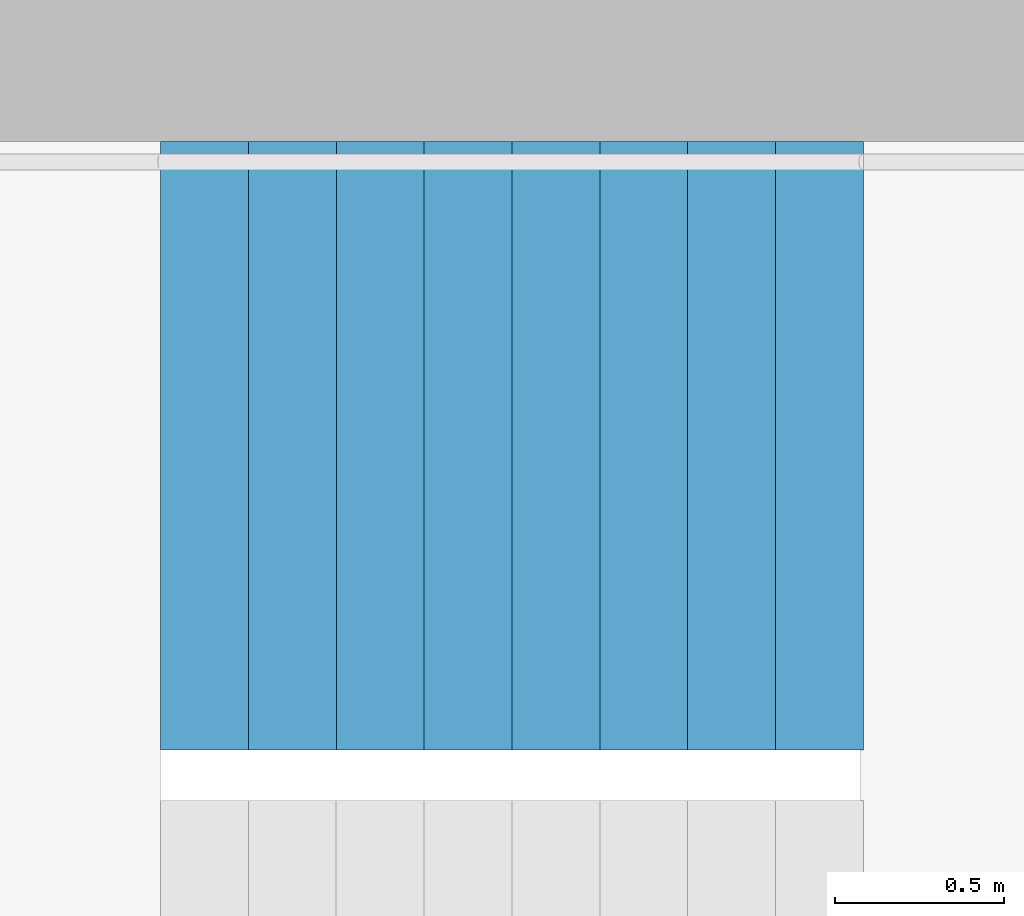
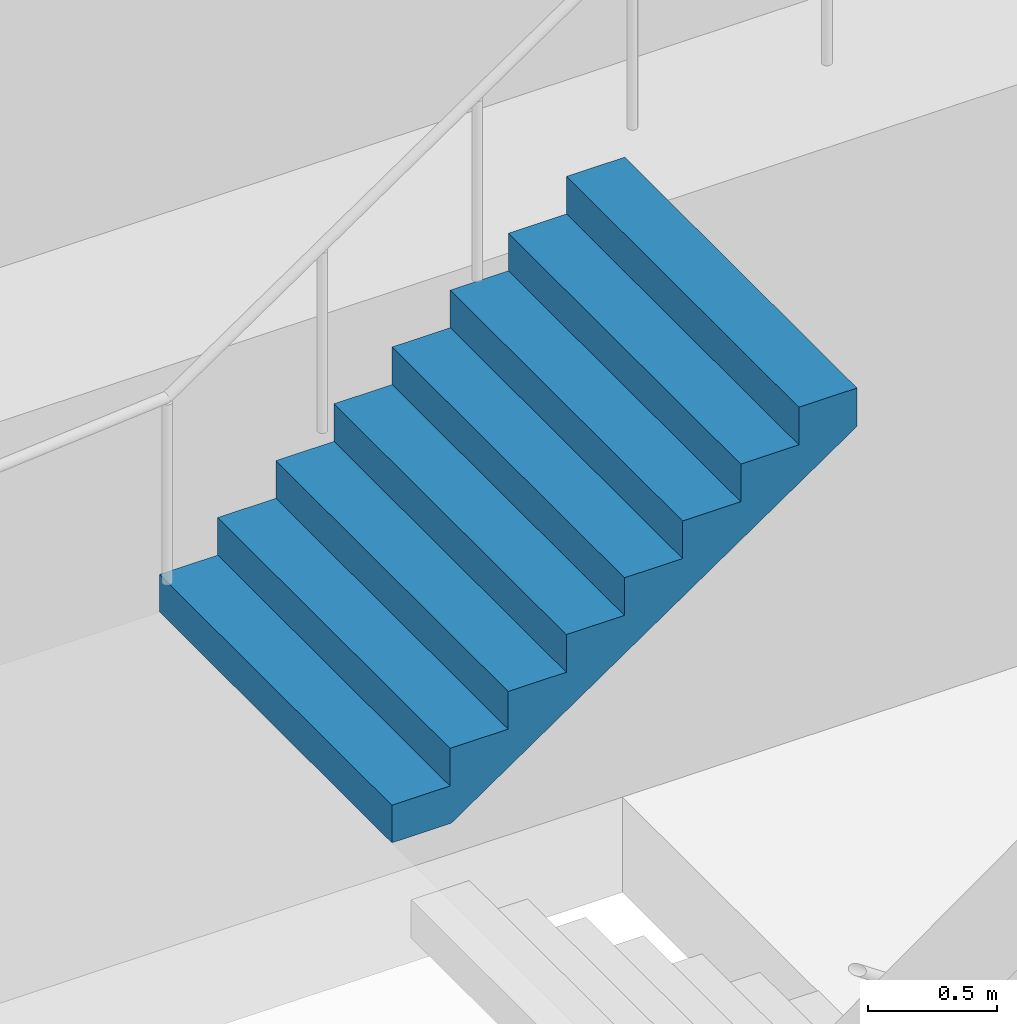
# One storey, part 24 of 25: 1 stair flight, 1 element without a shape of its own.
"""IFC4 building model written with IfcOpenShell, lengths in metres."""

import ifcopenshell
import ifcopenshell.guid

model = None  # the IFC model being written
_history = None  # IfcOwnerHistory: only IFC2X3 demands one
_inside = {}  # id of a spatial element -> (the spatial element, [elements in it])
_under = {}  # id of a project, library or spatial element -> (it, [spatial elements below it])
_declared = {}  # id of a project -> (the project, [libraries it declares])
_typed = {}  # id of a type object -> (the type object, [elements of that type])
_made_of = {}  # id of a material, layer set ... -> (it, [elements and type objects made of it])


def new_model(schema):
    """Start an empty IFC model of exactly this schema.

    Asked for "IFC4X3", IfcOpenShell would pick the latest addendum, in which some entities
    have other attributes; the version numbers below select the first issue.
    IFC2X3 requires an IfcOwnerHistory on every rooted entity: one is made here for all.
    """
    global model, _history
    if schema == "IFC4X3":
        model = ifcopenshell.file(schema_version=(4, 3, 0, 0))
    else:
        model = ifcopenshell.file(schema=schema)
    _inside.clear()
    _under.clear()
    _declared.clear()
    _typed.clear()
    _made_of.clear()
    _history = None
    if model.schema == "IFC2X3":
        org = make("IfcOrganization", Name="unknown")
        user = make(
            "IfcPersonAndOrganization",
            ThePerson=make("IfcPerson", FamilyName="unknown"),
            TheOrganization=org,
        )
        app = make(
            "IfcApplication",
            ApplicationDeveloper=org,
            Version="unknown",
            ApplicationFullName="unknown",
            ApplicationIdentifier="unknown",
        )
        _history = make(
            "IfcOwnerHistory",
            OwningUser=user,
            OwningApplication=app,
            ChangeAction="ADDED",
            CreationDate=0,
        )
    return model


def make(cls, **values):
    """One entity of the class cls with the attributes given. An attribute that is None is left unset."""
    return model.create_entity(
        cls, **{name: value for name, value in values.items() if value is not None}
    )


def rooted(cls, **values):
    """An entity with a GlobalId (a new one), such as an element, a storey or a relation."""
    return make(cls, GlobalId=ifcopenshell.guid.new(), OwnerHistory=_history, **values)


def si_unit(unit_type, name, prefix=None):
    """IfcSIUnit, for example si_unit("LENGTHUNIT", "METRE", prefix="MILLI")."""
    return make("IfcSIUnit", UnitType=unit_type, Prefix=prefix, Name=name)


def assignment(units):
    """IfcUnitAssignment: the units of a project."""
    return None if units is None else make("IfcUnitAssignment", Units=units)


def point(xyz):
    """IfcCartesianPoint."""
    return None if xyz is None else make("IfcCartesianPoint", Coordinates=xyz)


def direction(xyz):
    """IfcDirection."""
    return None if xyz is None else make("IfcDirection", DirectionRatios=xyz)


def frame(location, z_axis=None, x_axis=None):
    """IfcAxis2Placement3D, a coordinate frame: its origin and axes. An axis left out is left unset."""
    return make(
        "IfcAxis2Placement3D",
        Location=point(location),
        Axis=direction(z_axis),
        RefDirection=direction(x_axis),
    )


def origin():
    """The frame at (0, 0, 0) with its axes left unset."""
    return frame((0.0, 0.0, 0.0))


def place(relative_to, where):
    """IfcLocalPlacement: puts the frame where relative to a parent placement (None: the world)."""
    return make(
        "IfcLocalPlacement", PlacementRelTo=relative_to, RelativePlacement=where
    )


def context(
    kind, dimensions, precision=None, world=None, true_north=None, identifier=None
):
    """IfcGeometricRepresentationContext, for example the 3D "Model" context."""
    return make(
        "IfcGeometricRepresentationContext",
        ContextIdentifier=identifier,
        ContextType=kind,
        CoordinateSpaceDimension=dimensions,
        Precision=precision,
        WorldCoordinateSystem=world,
        TrueNorth=true_north,
    )


def subcontext(parent, identifier, kind, view, scale=None):
    """IfcGeometricRepresentationSubContext, for example "Body" below "Model"."""
    return make(
        "IfcGeometricRepresentationSubContext",
        ContextIdentifier=identifier,
        ContextType=kind,
        ParentContext=parent,
        TargetScale=scale,
        TargetView=view,
    )


def project(units=None, contexts=None):
    """IfcProject with its units and contexts."""
    return rooted(
        "IfcProject",
        Name="project",
        RepresentationContexts=contexts,
        UnitsInContext=assignment(units),
    )


def spatial(cls, under=None, at=None, **own):
    """A site, building, storey or space (cls), placed at a placement, below another one or the project."""
    s = rooted(cls, ObjectPlacement=at, **own)
    if under is not None:
        _under.setdefault(under.id(), (under, []))[1].append(s)
    return s


def point_list(points):
    """IfcCartesianPointList2D or 3D."""
    cls = (
        "IfcCartesianPointList2D" if len(points[0]) == 2 else "IfcCartesianPointList3D"
    )
    return make(cls, CoordList=points)


def triangles(points, corners, closed=None, point_numbers=None):
    """IfcTriangulatedFaceSet: each triangle names its three corners, points numbered from 1."""
    return make(
        "IfcTriangulatedFaceSet",
        Coordinates=point_list(points),
        Closed=closed,
        CoordIndex=corners,
        PnIndex=point_numbers,
    )


def shape(context_of_items, identifier, shape_type, items):
    """IfcShapeRepresentation: the items that make up one representation, for example the "Body"."""
    return make(
        "IfcShapeRepresentation",
        ContextOfItems=context_of_items,
        RepresentationIdentifier=identifier,
        RepresentationType=shape_type,
        Items=items,
    )


def material(Name=None, Category=None):
    """IfcMaterial."""
    return make("IfcMaterial", Name=Name, Category=Category)


def made_of(thing, what):
    """Note that an element or type object is made of a material, layer set ...; save() writes the relation."""
    if what is not None:
        _made_of.setdefault(what.id(), (what, []))[1].append(thing)
    return thing


def type_object(cls, material=None, **own):
    """A type object (cls), such as IfcWallType, which elements share."""
    return made_of(rooted(cls, **own), material)


def element(
    cls,
    number,
    at=None,
    inside=None,
    cuts=None,
    type_object=None,
    material=None,
    context=None,
    identifier="Body",
    shape_type=None,
    held_by="IfcProductDefinitionShape",
    body=None,
    shapes=None,
    **own,
):
    """One element of the class cls, such as IfcWall. Its Tag is "e" and its number.

    at: its placement. inside: the storey or other place that contains it. cuts: it is an
    opening in that element (IfcRelVoidsElement). A single representation is given by context,
    identifier, shape_type and body (its items); several are given by shapes. held_by: the class
    of the entity that holds the representations. save() writes the other relations.
    """
    e = rooted(cls, Tag="e%d" % number, ObjectPlacement=at, **own)
    if body is not None:
        shapes = [shape(context, identifier, shape_type, body)]
    if shapes is not None:
        e.Representation = make(held_by, Representations=shapes)
    if inside is not None:
        _inside.setdefault(inside.id(), (inside, []))[1].append(e)
    if cuts is not None:
        rooted(
            "IfcRelVoidsElement", RelatingBuildingElement=cuts, RelatedOpeningElement=e
        )
    if type_object is not None:
        _typed.setdefault(type_object.id(), (type_object, []))[1].append(e)
    return made_of(e, material)


def aggregate(whole, parts):
    """IfcRelAggregates: a whole, such as a stair, and the parts it consists of."""
    return rooted("IfcRelAggregates", RelatingObject=whole, RelatedObjects=parts)


def save(model, path):
    """Write the relations noted so far, then the file.

    IfcRelAggregates (storeys below a building ...), IfcRelContainedInSpatialStructure (elements
    in a storey), IfcRelDefinesByType, IfcRelAssociatesMaterial and IfcRelDeclares: one each for
    every whole, place, type object, material and project.
    """
    for whole, parts in _under.values():
        aggregate(whole, parts)
    for where, things in _inside.values():
        rooted(
            "IfcRelContainedInSpatialStructure",
            RelatedElements=things,
            RelatingStructure=where,
        )
    for kind, things in _typed.values():
        rooted("IfcRelDefinesByType", RelatedObjects=things, RelatingType=kind)
    for what, things in _made_of.values():
        rooted("IfcRelAssociatesMaterial", RelatedObjects=things, RelatingMaterial=what)
    for by, libraries in _declared.values():
        rooted("IfcRelDeclares", RelatingContext=by, RelatedDefinitions=libraries)
    model.write(path)


model = new_model("IFC4")

# Units and contexts
model_context = context("Model", 3, precision=1e-05, world=origin(), true_north=direction((0.0, 1.0)))
body_context = subcontext(model_context, "Body", "Model", "MODEL_VIEW")
ifc_project = project(units=[si_unit("LENGTHUNIT", "METRE"), si_unit("AREAUNIT", "SQUARE_METRE"), si_unit("VOLUMEUNIT", "CUBIC_METRE"), si_unit("PLANEANGLEUNIT", "RADIAN"), si_unit("MASSUNIT", "GRAM", prefix="KILO")], contexts=[model_context])

# Site, building, storey
site_placement = place(None, origin())
site = spatial("IfcSite", under=ifc_project, at=site_placement, CompositionType="ELEMENT")
building_placement = place(site_placement, origin())
building = spatial("IfcBuilding", under=site, at=building_placement, Name="Hakoniwa Tower and Hamabe Station Hall", CompositionType="ELEMENT")
storey_placement = place(building_placement, frame((0.0, 0.0, 202.60009765625)))
storey = spatial("IfcBuildingStorey", under=building, at=storey_placement, Name="L57", CompositionType="ELEMENT", Elevation=202.60009765625)

# Stair, stair flight
ifc_material_1 = material(Name="Concrete C40", Category="concrete")
stair_type = type_object("IfcStairType", Name="ESCAPE STAIR 1800", PredefinedType="HALF_TURN_STAIR", material=ifc_material_1)
stair_placement = place(storey_placement, origin())
stair = element("IfcStair", 1, at=stair_placement, inside=storey, type_object=stair_type, Name="Escape stair ST-3 L57", PredefinedType="HALF_TURN_STAIR")
ifc_material_2 = material(Name="Concrete C40", Category="concrete")
stair_flight_type = type_object("IfcStairFlightType", Name="STAIR FLIGHT 1800", PredefinedType="STRAIGHT", material=ifc_material_2)
stair_flight_placement = place(storey_placement, frame((22.320068359375, 6.60009765625, 1.599853515625), z_axis=(0.0, 0.0, 1.0), x_axis=(1.0, 0.0, 0.0)))
stair_flight = element("IfcStairFlight", 2, at=stair_flight_placement, type_object=stair_flight_type, Name="ST-3 flight 2", NumberOfRisers=9, NumberOfTreads=8, PredefinedType="STRAIGHT", RiserHeight=0.177777778, TreadLength=0.26, context=body_context, shape_type="Tessellation", body=[
    triangles([(0.0, 0.89990234375, 0.0), (0.260009765625, 0.89990234375, 0.0), (0.265625, 0.89990234375, 0.0), (0.52001953125, 0.89990234375, 0.174072265625), (0.780029296875, 0.89990234375, 0.351806640625), (1.0400390625, 0.89990234375, 0.529541015625), (1.300048828125, 0.89990234375, 0.707275390625), (1.56005859375, 0.89990234375, 0.885009765625), (1.820068359375, 0.89990234375, 1.062744140625), (2.080078125, 0.89990234375, 1.24072265625), (2.080078125, 0.89990234375, 1.422119140625), (1.820068359375, 0.89990234375, 1.422119140625), (1.820068359375, 0.89990234375, 1.244384765625), (1.56005859375, 0.89990234375, 1.244384765625), (1.56005859375, 0.89990234375, 1.066650390625), (1.300048828125, 0.89990234375, 1.066650390625), (1.300048828125, 0.89990234375, 0.888916015625), (1.0400390625, 0.89990234375, 0.888916015625), (1.0400390625, 0.89990234375, 0.711181640625), (0.780029296875, 0.89990234375, 0.711181640625), (0.780029296875, 0.89990234375, 0.533447265625), (0.52001953125, 0.89990234375, 0.533447265625), (0.52001953125, 0.89990234375, 0.35546875), (0.265625, 0.89990234375, 0.35546875), (0.260009765625, 0.89990234375, 0.35546875), (0.260009765625, 0.89990234375, 0.177734375), (0.0, 0.89990234375, 0.177734375), (0.0, 0.06005859375, 0.0), (0.260009765625, 0.06005859375, 0.0), (0.265625, 0.06005859375, 0.0), (0.52001953125, 0.06005859375, 0.174072265625), (0.780029296875, 0.06005859375, 0.351806640625), (1.0400390625, 0.06005859375, 0.529541015625), (1.300048828125, 0.06005859375, 0.707275390625), (1.56005859375, 0.06005859375, 0.885009765625), (1.820068359375, 0.06005859375, 1.062744140625), (2.080078125, 0.06005859375, 1.24072265625), (2.080078125, 0.06005859375, 1.422119140625), (1.820068359375, 0.06005859375, 1.422119140625), (1.820068359375, 0.06005859375, 1.244384765625), (1.56005859375, 0.06005859375, 1.244384765625), (1.56005859375, 0.06005859375, 1.066650390625), (1.300048828125, 0.06005859375, 1.066650390625), (1.300048828125, 0.06005859375, 0.888916015625), (1.0400390625, 0.06005859375, 0.888916015625), (1.0400390625, 0.06005859375, 0.711181640625), (0.780029296875, 0.06005859375, 0.711181640625), (0.780029296875, 0.06005859375, 0.533447265625), (0.52001953125, 0.06005859375, 0.533447265625), (0.52001953125, 0.06005859375, 0.35546875), (0.265625, 0.06005859375, 0.35546875), (0.260009765625, 0.06005859375, 0.35546875), (0.260009765625, 0.06005859375, 0.177734375), (0.0, 0.06005859375, 0.177734375), (0.0, 0.04296875, 0.0), (0.260009765625, 0.04296875, 0.0), (0.265625, 0.04296875, 0.0), (0.52001953125, 0.04296875, 0.174072265625), (0.780029296875, 0.04296875, 0.351806640625), (1.0400390625, 0.04296875, 0.529541015625), (1.300048828125, 0.04296875, 0.707275390625), (1.56005859375, 0.04296875, 0.885009765625), (1.820068359375, 0.04296875, 1.062744140625), (2.080078125, 0.04296875, 1.24072265625), (2.080078125, 0.04296875, 1.422119140625), (1.820068359375, 0.04296875, 1.422119140625), (1.820068359375, 0.04296875, 1.244384765625), (1.56005859375, 0.04296875, 1.244384765625), (1.56005859375, 0.04296875, 1.066650390625), (1.300048828125, 0.04296875, 1.066650390625), (1.300048828125, 0.04296875, 0.888916015625), (1.0400390625, 0.04296875, 0.888916015625), (1.0400390625, 0.04296875, 0.711181640625), (0.780029296875, 0.04296875, 0.711181640625), (0.780029296875, 0.04296875, 0.533447265625), (0.52001953125, 0.04296875, 0.533447265625), (0.52001953125, 0.04296875, 0.35546875), (0.265625, 0.04296875, 0.35546875), (0.260009765625, 0.04296875, 0.35546875), (0.260009765625, 0.04296875, 0.177734375), (0.0, 0.04296875, 0.177734375), (0.0, 0.025634765625, 0.0), (0.260009765625, 0.025634765625, 0.0), (0.265625, 0.025634765625, 0.0), (0.52001953125, 0.025634765625, 0.174072265625), (0.780029296875, 0.025634765625, 0.351806640625), (1.0400390625, 0.025634765625, 0.529541015625), (1.300048828125, 0.025634765625, 0.707275390625), (1.56005859375, 0.025634765625, 0.885009765625), (1.820068359375, 0.025634765625, 1.062744140625), (2.080078125, 0.025634765625, 1.24072265625), (2.080078125, 0.025634765625, 1.422119140625), (1.820068359375, 0.025634765625, 1.422119140625), (1.820068359375, 0.025634765625, 1.244384765625), (1.56005859375, 0.025634765625, 1.244384765625), (1.56005859375, 0.025634765625, 1.066650390625), (1.300048828125, 0.025634765625, 1.066650390625), (1.300048828125, 0.025634765625, 0.888916015625), (1.0400390625, 0.025634765625, 0.888916015625), (1.0400390625, 0.025634765625, 0.711181640625), (0.780029296875, 0.025634765625, 0.711181640625), (0.780029296875, 0.025634765625, 0.533447265625), (0.52001953125, 0.025634765625, 0.533447265625), (0.52001953125, 0.025634765625, 0.35546875), (0.265625, 0.025634765625, 0.35546875), (0.260009765625, 0.025634765625, 0.35546875), (0.260009765625, 0.025634765625, 0.177734375), (0.0, 0.025634765625, 0.177734375), (0.0, 0.008544921875, 0.0), (0.260009765625, 0.008544921875, 0.0), (0.265625, 0.008544921875, 0.0), (0.52001953125, 0.008544921875, 0.174072265625), (0.780029296875, 0.008544921875, 0.351806640625), (1.0400390625, 0.008544921875, 0.529541015625), (1.300048828125, 0.008544921875, 0.707275390625), (1.56005859375, 0.008544921875, 0.885009765625), (1.820068359375, 0.008544921875, 1.062744140625), (2.080078125, 0.008544921875, 1.24072265625), (2.080078125, 0.008544921875, 1.422119140625), (1.820068359375, 0.008544921875, 1.422119140625), (1.820068359375, 0.008544921875, 1.244384765625), (1.56005859375, 0.008544921875, 1.244384765625), (1.56005859375, 0.008544921875, 1.066650390625), (1.300048828125, 0.008544921875, 1.066650390625), (1.300048828125, 0.008544921875, 0.888916015625), (1.0400390625, 0.008544921875, 0.888916015625), (1.0400390625, 0.008544921875, 0.711181640625), (0.780029296875, 0.008544921875, 0.711181640625), (0.780029296875, 0.008544921875, 0.533447265625), (0.52001953125, 0.008544921875, 0.533447265625), (0.52001953125, 0.008544921875, 0.35546875), (0.265625, 0.008544921875, 0.35546875), (0.260009765625, 0.008544921875, 0.35546875), (0.260009765625, 0.008544921875, 0.177734375), (0.0, 0.008544921875, 0.177734375), (0.0, -0.008544921875, 0.0), (0.260009765625, -0.008544921875, 0.0), (0.265625, -0.008544921875, 0.0), (0.52001953125, -0.008544921875, 0.174072265625), (0.780029296875, -0.008544921875, 0.351806640625), (1.0400390625, -0.008544921875, 0.529541015625), (1.300048828125, -0.008544921875, 0.707275390625), (1.56005859375, -0.008544921875, 0.885009765625), (1.820068359375, -0.008544921875, 1.062744140625), (2.080078125, -0.008544921875, 1.24072265625), (2.080078125, -0.008544921875, 1.422119140625), (1.820068359375, -0.008544921875, 1.422119140625), (1.820068359375, -0.008544921875, 1.244384765625), (1.56005859375, -0.008544921875, 1.244384765625), (1.56005859375, -0.008544921875, 1.066650390625), (1.300048828125, -0.008544921875, 1.066650390625), (1.300048828125, -0.008544921875, 0.888916015625), (1.0400390625, -0.008544921875, 0.888916015625), (1.0400390625, -0.008544921875, 0.711181640625), (0.780029296875, -0.008544921875, 0.711181640625), (0.780029296875, -0.008544921875, 0.533447265625), (0.52001953125, -0.008544921875, 0.533447265625), (0.52001953125, -0.008544921875, 0.35546875), (0.265625, -0.008544921875, 0.35546875), (0.260009765625, -0.008544921875, 0.35546875), (0.260009765625, -0.008544921875, 0.177734375), (0.0, -0.008544921875, 0.177734375), (0.0, -0.025634765625, 0.0), (0.260009765625, -0.025634765625, 0.0), (0.265625, -0.025634765625, 0.0), (0.52001953125, -0.025634765625, 0.174072265625), (0.780029296875, -0.025634765625, 0.351806640625), (1.0400390625, -0.025634765625, 0.529541015625), (1.300048828125, -0.025634765625, 0.707275390625), (1.56005859375, -0.025634765625, 0.885009765625), (1.820068359375, -0.025634765625, 1.062744140625), (2.080078125, -0.025634765625, 1.24072265625), (2.080078125, -0.025634765625, 1.422119140625), (1.820068359375, -0.025634765625, 1.422119140625), (1.820068359375, -0.025634765625, 1.244384765625), (1.56005859375, -0.025634765625, 1.244384765625), (1.56005859375, -0.025634765625, 1.066650390625), (1.300048828125, -0.025634765625, 1.066650390625), (1.300048828125, -0.025634765625, 0.888916015625), (1.0400390625, -0.025634765625, 0.888916015625), (1.0400390625, -0.025634765625, 0.711181640625), (0.780029296875, -0.025634765625, 0.711181640625), (0.780029296875, -0.025634765625, 0.533447265625), (0.52001953125, -0.025634765625, 0.533447265625), (0.52001953125, -0.025634765625, 0.35546875), (0.265625, -0.025634765625, 0.35546875), (0.260009765625, -0.025634765625, 0.35546875), (0.260009765625, -0.025634765625, 0.177734375), (0.0, -0.025634765625, 0.177734375), (0.0, -0.04296875, 0.0), (0.260009765625, -0.04296875, 0.0), (0.265625, -0.04296875, 0.0), (0.52001953125, -0.04296875, 0.174072265625), (0.780029296875, -0.04296875, 0.351806640625), (1.0400390625, -0.04296875, 0.529541015625), (1.300048828125, -0.04296875, 0.707275390625), (1.56005859375, -0.04296875, 0.885009765625), (1.820068359375, -0.04296875, 1.062744140625), (2.080078125, -0.04296875, 1.24072265625), (2.080078125, -0.04296875, 1.422119140625), (1.820068359375, -0.04296875, 1.422119140625), (1.820068359375, -0.04296875, 1.244384765625), (1.56005859375, -0.04296875, 1.244384765625), (1.56005859375, -0.04296875, 1.066650390625), (1.300048828125, -0.04296875, 1.066650390625), (1.300048828125, -0.04296875, 0.888916015625), (1.0400390625, -0.04296875, 0.888916015625), (1.0400390625, -0.04296875, 0.711181640625), (0.780029296875, -0.04296875, 0.711181640625), (0.780029296875, -0.04296875, 0.533447265625), (0.52001953125, -0.04296875, 0.533447265625), (0.52001953125, -0.04296875, 0.35546875), (0.265625, -0.04296875, 0.35546875), (0.260009765625, -0.04296875, 0.35546875), (0.260009765625, -0.04296875, 0.177734375), (0.0, -0.04296875, 0.177734375), (0.0, -0.06005859375, 0.0), (0.260009765625, -0.06005859375, 0.0), (0.265625, -0.06005859375, 0.0), (0.52001953125, -0.06005859375, 0.174072265625), (0.780029296875, -0.06005859375, 0.351806640625), (1.0400390625, -0.06005859375, 0.529541015625), (1.300048828125, -0.06005859375, 0.707275390625), (1.56005859375, -0.06005859375, 0.885009765625), (1.820068359375, -0.06005859375, 1.062744140625), (2.080078125, -0.06005859375, 1.24072265625), (2.080078125, -0.06005859375, 1.422119140625), (1.820068359375, -0.06005859375, 1.422119140625), (1.820068359375, -0.06005859375, 1.244384765625), (1.56005859375, -0.06005859375, 1.244384765625), (1.56005859375, -0.06005859375, 1.066650390625), (1.300048828125, -0.06005859375, 1.066650390625), (1.300048828125, -0.06005859375, 0.888916015625), (1.0400390625, -0.06005859375, 0.888916015625), (1.0400390625, -0.06005859375, 0.711181640625), (0.780029296875, -0.06005859375, 0.711181640625), (0.780029296875, -0.06005859375, 0.533447265625), (0.52001953125, -0.06005859375, 0.533447265625), (0.52001953125, -0.06005859375, 0.35546875), (0.265625, -0.06005859375, 0.35546875), (0.260009765625, -0.06005859375, 0.35546875), (0.260009765625, -0.06005859375, 0.177734375), (0.0, -0.06005859375, 0.177734375), (0.0, -0.89990234375, 0.0), (0.260009765625, -0.89990234375, 0.0), (0.265625, -0.89990234375, 0.0), (0.52001953125, -0.89990234375, 0.174072265625), (0.780029296875, -0.89990234375, 0.351806640625), (1.0400390625, -0.89990234375, 0.529541015625), (1.300048828125, -0.89990234375, 0.707275390625), (1.56005859375, -0.89990234375, 0.885009765625), (1.820068359375, -0.89990234375, 1.062744140625), (2.080078125, -0.89990234375, 1.24072265625), (2.080078125, -0.89990234375, 1.422119140625), (1.820068359375, -0.89990234375, 1.422119140625), (1.820068359375, -0.89990234375, 1.244384765625), (1.56005859375, -0.89990234375, 1.244384765625), (1.56005859375, -0.89990234375, 1.066650390625), (1.300048828125, -0.89990234375, 1.066650390625), (1.300048828125, -0.89990234375, 0.888916015625), (1.0400390625, -0.89990234375, 0.888916015625), (1.0400390625, -0.89990234375, 0.711181640625), (0.780029296875, -0.89990234375, 0.711181640625), (0.780029296875, -0.89990234375, 0.533447265625), (0.52001953125, -0.89990234375, 0.533447265625), (0.52001953125, -0.89990234375, 0.35546875), (0.265625, -0.89990234375, 0.35546875), (0.260009765625, -0.89990234375, 0.35546875), (0.260009765625, -0.89990234375, 0.177734375), (0.0, -0.89990234375, 0.177734375)], [[2, 27, 26], [245, 269, 270], [2, 1, 27], [245, 270, 244], [3, 25, 24], [246, 267, 268], [3, 26, 25], [246, 268, 269], [3, 2, 26], [246, 269, 245], [4, 24, 23], [247, 266, 267], [4, 3, 24], [247, 267, 246], [5, 22, 21], [248, 264, 265], [5, 23, 22], [248, 265, 266], [5, 4, 23], [248, 266, 247], [6, 20, 19], [249, 262, 263], [6, 21, 20], [249, 263, 264], [6, 5, 21], [249, 264, 248], [7, 18, 17], [250, 260, 261], [7, 19, 18], [250, 261, 262], [7, 6, 19], [250, 262, 249], [8, 16, 15], [251, 258, 259], [8, 17, 16], [251, 259, 260], [8, 7, 17], [251, 260, 250], [9, 14, 13], [252, 256, 257], [9, 15, 14], [252, 257, 258], [9, 8, 15], [252, 258, 251], [10, 12, 11], [253, 254, 255], [10, 13, 12], [253, 255, 256], [10, 9, 13], [253, 256, 252], [1, 2, 29], [1, 29, 28], [28, 29, 56], [28, 56, 55], [55, 56, 83], [55, 83, 82], [82, 83, 110], [82, 110, 109], [109, 110, 137], [109, 137, 136], [136, 137, 164], [136, 164, 163], [163, 164, 191], [163, 191, 190], [190, 191, 218], [190, 218, 217], [217, 218, 245], [217, 245, 244], [2, 3, 30], [2, 30, 29], [29, 30, 57], [29, 57, 56], [56, 57, 84], [56, 84, 83], [83, 84, 111], [83, 111, 110], [110, 111, 138], [110, 138, 137], [137, 138, 165], [137, 165, 164], [164, 165, 192], [164, 192, 191], [191, 192, 219], [191, 219, 218], [218, 219, 246], [218, 246, 245], [3, 4, 31], [3, 31, 30], [30, 31, 58], [30, 58, 57], [57, 58, 85], [57, 85, 84], [84, 85, 112], [84, 112, 111], [111, 112, 139], [111, 139, 138], [138, 139, 166], [138, 166, 165], [165, 166, 193], [165, 193, 192], [192, 193, 220], [192, 220, 219], [219, 220, 247], [219, 247, 246], [4, 5, 32], [4, 32, 31], [31, 32, 59], [31, 59, 58], [58, 59, 86], [58, 86, 85], [85, 86, 113], [85, 113, 112], [112, 113, 140], [112, 140, 139], [139, 140, 167], [139, 167, 166], [166, 167, 194], [166, 194, 193], [193, 194, 221], [193, 221, 220], [220, 221, 248], [220, 248, 247], [5, 6, 33], [5, 33, 32], [32, 33, 60], [32, 60, 59], [59, 60, 87], [59, 87, 86], [86, 87, 114], [86, 114, 113], [113, 114, 141], [113, 141, 140], [140, 141, 168], [140, 168, 167], [167, 168, 195], [167, 195, 194], [194, 195, 222], [194, 222, 221], [221, 222, 249], [221, 249, 248], [6, 7, 34], [6, 34, 33], [33, 34, 61], [33, 61, 60], [60, 61, 88], [60, 88, 87], [87, 88, 115], [87, 115, 114], [114, 115, 142], [114, 142, 141], [141, 142, 169], [141, 169, 168], [168, 169, 196], [168, 196, 195], [195, 196, 223], [195, 223, 222], [222, 223, 250], [222, 250, 249], [7, 8, 35], [7, 35, 34], [34, 35, 62], [34, 62, 61], [61, 62, 89], [61, 89, 88], [88, 89, 116], [88, 116, 115], [115, 116, 143], [115, 143, 142], [142, 143, 170], [142, 170, 169], [169, 170, 197], [169, 197, 196], [196, 197, 224], [196, 224, 223], [223, 224, 251], [223, 251, 250], [8, 9, 36], [8, 36, 35], [35, 36, 63], [35, 63, 62], [62, 63, 90], [62, 90, 89], [89, 90, 117], [89, 117, 116], [116, 117, 144], [116, 144, 143], [143, 144, 171], [143, 171, 170], [170, 171, 198], [170, 198, 197], [197, 198, 225], [197, 225, 224], [224, 225, 252], [224, 252, 251], [9, 10, 37], [9, 37, 36], [36, 37, 64], [36, 64, 63], [63, 64, 91], [63, 91, 90], [90, 91, 118], [90, 118, 117], [117, 118, 145], [117, 145, 144], [144, 145, 172], [144, 172, 171], [171, 172, 199], [171, 199, 198], [198, 199, 226], [198, 226, 225], [225, 226, 253], [225, 253, 252], [10, 11, 38], [10, 38, 37], [37, 38, 65], [37, 65, 64], [64, 65, 92], [64, 92, 91], [91, 92, 119], [91, 119, 118], [118, 119, 146], [118, 146, 145], [145, 146, 173], [145, 173, 172], [172, 173, 200], [172, 200, 199], [199, 200, 227], [199, 227, 226], [226, 227, 254], [226, 254, 253], [11, 12, 39], [11, 39, 38], [38, 39, 66], [38, 66, 65], [65, 66, 93], [65, 93, 92], [92, 93, 120], [92, 120, 119], [119, 120, 147], [119, 147, 146], [146, 147, 174], [146, 174, 173], [173, 174, 201], [173, 201, 200], [200, 201, 228], [200, 228, 227], [227, 228, 255], [227, 255, 254], [12, 13, 40], [12, 40, 39], [39, 40, 67], [39, 67, 66], [66, 67, 94], [66, 94, 93], [93, 94, 121], [93, 121, 120], [120, 121, 148], [120, 148, 147], [147, 148, 175], [147, 175, 174], [174, 175, 202], [174, 202, 201], [201, 202, 229], [201, 229, 228], [228, 229, 256], [228, 256, 255], [13, 14, 41], [13, 41, 40], [40, 41, 68], [40, 68, 67], [67, 68, 95], [67, 95, 94], [94, 95, 122], [94, 122, 121], [121, 122, 149], [121, 149, 148], [148, 149, 176], [148, 176, 175], [175, 176, 203], [175, 203, 202], [202, 203, 230], [202, 230, 229], [229, 230, 257], [229, 257, 256], [14, 15, 42], [14, 42, 41], [41, 42, 69], [41, 69, 68], [68, 69, 96], [68, 96, 95], [95, 96, 123], [95, 123, 122], [122, 123, 150], [122, 150, 149], [149, 150, 177], [149, 177, 176], [176, 177, 204], [176, 204, 203], [203, 204, 231], [203, 231, 230], [230, 231, 258], [230, 258, 257], [15, 16, 43], [15, 43, 42], [42, 43, 70], [42, 70, 69], [69, 70, 97], [69, 97, 96], [96, 97, 124], [96, 124, 123], [123, 124, 151], [123, 151, 150], [150, 151, 178], [150, 178, 177], [177, 178, 205], [177, 205, 204], [204, 205, 232], [204, 232, 231], [231, 232, 259], [231, 259, 258], [16, 17, 44], [16, 44, 43], [43, 44, 71], [43, 71, 70], [70, 71, 98], [70, 98, 97], [97, 98, 125], [97, 125, 124], [124, 125, 152], [124, 152, 151], [151, 152, 179], [151, 179, 178], [178, 179, 206], [178, 206, 205], [205, 206, 233], [205, 233, 232], [232, 233, 260], [232, 260, 259], [17, 18, 45], [17, 45, 44], [44, 45, 72], [44, 72, 71], [71, 72, 99], [71, 99, 98], [98, 99, 126], [98, 126, 125], [125, 126, 153], [125, 153, 152], [152, 153, 180], [152, 180, 179], [179, 180, 207], [179, 207, 206], [206, 207, 234], [206, 234, 233], [233, 234, 261], [233, 261, 260], [18, 19, 46], [18, 46, 45], [45, 46, 73], [45, 73, 72], [72, 73, 100], [72, 100, 99], [99, 100, 127], [99, 127, 126], [126, 127, 154], [126, 154, 153], [153, 154, 181], [153, 181, 180], [180, 181, 208], [180, 208, 207], [207, 208, 235], [207, 235, 234], [234, 235, 262], [234, 262, 261], [19, 20, 47], [19, 47, 46], [46, 47, 74], [46, 74, 73], [73, 74, 101], [73, 101, 100], [100, 101, 128], [100, 128, 127], [127, 128, 155], [127, 155, 154], [154, 155, 182], [154, 182, 181], [181, 182, 209], [181, 209, 208], [208, 209, 236], [208, 236, 235], [235, 236, 263], [235, 263, 262], [20, 21, 48], [20, 48, 47], [47, 48, 75], [47, 75, 74], [74, 75, 102], [74, 102, 101], [101, 102, 129], [101, 129, 128], [128, 129, 156], [128, 156, 155], [155, 156, 183], [155, 183, 182], [182, 183, 210], [182, 210, 209], [209, 210, 237], [209, 237, 236], [236, 237, 264], [236, 264, 263], [21, 22, 49], [21, 49, 48], [48, 49, 76], [48, 76, 75], [75, 76, 103], [75, 103, 102], [102, 103, 130], [102, 130, 129], [129, 130, 157], [129, 157, 156], [156, 157, 184], [156, 184, 183], [183, 184, 211], [183, 211, 210], [210, 211, 238], [210, 238, 237], [237, 238, 265], [237, 265, 264], [22, 23, 50], [22, 50, 49], [49, 50, 77], [49, 77, 76], [76, 77, 104], [76, 104, 103], [103, 104, 131], [103, 131, 130], [130, 131, 158], [130, 158, 157], [157, 158, 185], [157, 185, 184], [184, 185, 212], [184, 212, 211], [211, 212, 239], [211, 239, 238], [238, 239, 266], [238, 266, 265], [23, 24, 51], [23, 51, 50], [50, 51, 78], [50, 78, 77], [77, 78, 105], [77, 105, 104], [104, 105, 132], [104, 132, 131], [131, 132, 159], [131, 159, 158], [158, 159, 186], [158, 186, 185], [185, 186, 213], [185, 213, 212], [212, 213, 240], [212, 240, 239], [239, 240, 267], [239, 267, 266], [24, 25, 52], [24, 52, 51], [51, 52, 79], [51, 79, 78], [78, 79, 106], [78, 106, 105], [105, 106, 133], [105, 133, 132], [132, 133, 160], [132, 160, 159], [159, 160, 187], [159, 187, 186], [186, 187, 214], [186, 214, 213], [213, 214, 241], [213, 241, 240], [240, 241, 268], [240, 268, 267], [25, 26, 53], [25, 53, 52], [52, 53, 80], [52, 80, 79], [79, 80, 107], [79, 107, 106], [106, 107, 134], [106, 134, 133], [133, 134, 161], [133, 161, 160], [160, 161, 188], [160, 188, 187], [187, 188, 215], [187, 215, 214], [214, 215, 242], [214, 242, 241], [241, 242, 269], [241, 269, 268], [26, 27, 54], [26, 54, 53], [53, 54, 81], [53, 81, 80], [80, 81, 108], [80, 108, 107], [107, 108, 135], [107, 135, 134], [134, 135, 162], [134, 162, 161], [161, 162, 189], [161, 189, 188], [188, 189, 216], [188, 216, 215], [215, 216, 243], [215, 243, 242], [242, 243, 270], [242, 270, 269], [27, 1, 28], [27, 28, 54], [54, 28, 55], [54, 55, 81], [81, 55, 82], [81, 82, 108], [108, 82, 109], [108, 109, 135], [135, 109, 136], [135, 136, 162], [162, 136, 163], [162, 163, 189], [189, 163, 190], [189, 190, 216], [216, 190, 217], [216, 217, 243], [243, 217, 244], [243, 244, 270]], closed=True),
])
aggregate(stair, [stair_flight])

save(model, "model.ifc")
